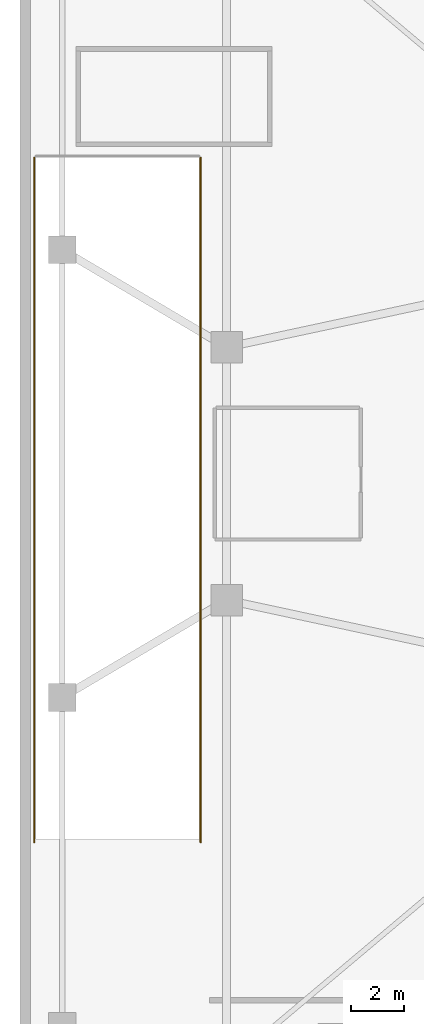
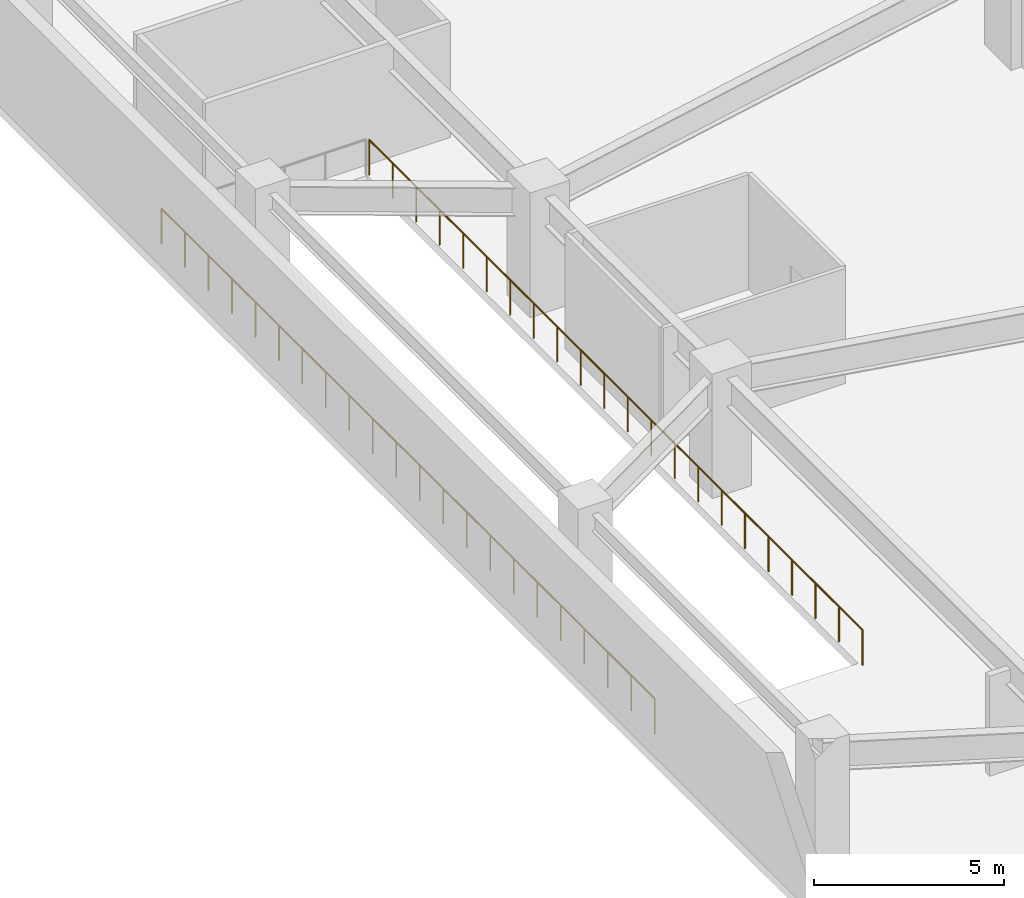
# One storey, part 7 of 9: 2 railings.
"""IFC4 building model written with IfcOpenShell, lengths in metres."""

from ifc_helpers import new_model, si_unit, direction, frame, origin, origin_2d, place, context, subcontext, project, spatial, circle, extrude, material, type_object, element, save


model = new_model("IFC4")

# Units and contexts
model_context = context("Model", 3, precision=1e-05, world=origin(), true_north=direction((0.0, 1.0)))
body_context = subcontext(model_context, "Body", "Model", "MODEL_VIEW")
ifc_project = project(units=[si_unit("LENGTHUNIT", "METRE"), si_unit("AREAUNIT", "SQUARE_METRE"), si_unit("VOLUMEUNIT", "CUBIC_METRE"), si_unit("PLANEANGLEUNIT", "RADIAN"), si_unit("MASSUNIT", "GRAM", prefix="KILO")], contexts=[model_context])

# Site, building, storey
site_placement = place(None, origin())
site = spatial("IfcSite", under=ifc_project, at=site_placement, CompositionType="ELEMENT")
building_placement = place(site_placement, origin())
building = spatial("IfcBuilding", under=site, at=building_placement, Name="Cairnveth Concourse Tower", CompositionType="ELEMENT")
storey_placement = place(building_placement, frame((0.0, 0.0, -4.0)))
storey = spatial("IfcBuildingStorey", under=building, at=storey_placement, Name="B01", CompositionType="ELEMENT", Elevation=-4.0)

# Railings
ifc_material = material(Name="Steel Grade 350", Category="steel")
railing_type = type_object("IfcRailingType", Name="STAIR GUARDRAIL 1150", PredefinedType="GUARDRAIL", material=ifc_material)
railing_1_placement = place(storey_placement, frame((19.5400390625, 25.0, 0.0)))
element("IfcRailing", 1, at=railing_1_placement, inside=storey, type_object=railing_type, Name="Basement B01 Ramp Well Guardrail W", PredefinedType="GUARDRAIL", context=body_context, shape_type="SweptSolid", body=[
    extrude(circle(Radius=0.02490234375, at=origin_2d()), frame((0.0, 0.0, 1.125), z_axis=(0.0, 1.0, 0.0), x_axis=(-1.0, 0.0, 0.0)), (0.0, 0.0, 1.0), 26.0),
    extrude(circle(Radius=0.0224609375, at=origin_2d()), origin(), (0.0, 0.0, 1.0), 1.099853515625),
    extrude(circle(Radius=0.0224609375, at=origin_2d()), frame((0.0, 1.238037109375, 0.0)), (0.0, 0.0, 1.0), 1.099853515625),
    extrude(circle(Radius=0.0224609375, at=origin_2d()), frame((0.0, 2.47607421875, 0.0)), (0.0, 0.0, 1.0), 1.099853515625),
    extrude(circle(Radius=0.0224609375, at=origin_2d()), frame((0.0, 3.71435546875, 0.0)), (0.0, 0.0, 1.0), 1.099853515625),
    extrude(circle(Radius=0.0224609375, at=origin_2d()), frame((0.0, 4.952392578125, 0.0)), (0.0, 0.0, 1.0), 1.099853515625),
    extrude(circle(Radius=0.0224609375, at=origin_2d()), frame((0.0, 6.1904296875, 0.0)), (0.0, 0.0, 1.0), 1.099853515625),
    extrude(circle(Radius=0.0224609375, at=origin_2d()), frame((0.0, 7.428466796875, 0.0)), (0.0, 0.0, 1.0), 1.099853515625),
    extrude(circle(Radius=0.0224609375, at=origin_2d()), frame((0.0, 8.666748046875, 0.0)), (0.0, 0.0, 1.0), 1.099853515625),
    extrude(circle(Radius=0.0224609375, at=origin_2d()), frame((0.0, 9.90478515625, 0.0)), (0.0, 0.0, 1.0), 1.099853515625),
    extrude(circle(Radius=0.0224609375, at=origin_2d()), frame((0.0, 11.142822265625, 0.0)), (0.0, 0.0, 1.0), 1.099853515625),
    extrude(circle(Radius=0.0224609375, at=origin_2d()), frame((0.0, 12.380859375, 0.0)), (0.0, 0.0, 1.0), 1.099853515625),
    extrude(circle(Radius=0.0224609375, at=origin_2d()), frame((0.0, 13.619140625, 0.0)), (0.0, 0.0, 1.0), 1.099853515625),
    extrude(circle(Radius=0.0224609375, at=origin_2d()), frame((0.0, 14.857177734375, 0.0)), (0.0, 0.0, 1.0), 1.099853515625),
    extrude(circle(Radius=0.0224609375, at=origin_2d()), frame((0.0, 16.09521484375, 0.0)), (0.0, 0.0, 1.0), 1.099853515625),
    extrude(circle(Radius=0.0224609375, at=origin_2d()), frame((0.0, 17.333251953125, 0.0)), (0.0, 0.0, 1.0), 1.099853515625),
    extrude(circle(Radius=0.0224609375, at=origin_2d()), frame((0.0, 18.571533203125, 0.0)), (0.0, 0.0, 1.0), 1.099853515625),
    extrude(circle(Radius=0.0224609375, at=origin_2d()), frame((0.0, 19.8095703125, 0.0)), (0.0, 0.0, 1.0), 1.099853515625),
    extrude(circle(Radius=0.0224609375, at=origin_2d()), frame((0.0, 21.047607421875, 0.0)), (0.0, 0.0, 1.0), 1.099853515625),
    extrude(circle(Radius=0.0224609375, at=origin_2d()), frame((0.0, 22.28564453125, 0.0)), (0.0, 0.0, 1.0), 1.099853515625),
    extrude(circle(Radius=0.0224609375, at=origin_2d()), frame((0.0, 23.52392578125, 0.0)), (0.0, 0.0, 1.0), 1.099853515625),
    extrude(circle(Radius=0.0224609375, at=origin_2d()), frame((0.0, 24.761962890625, 0.0)), (0.0, 0.0, 1.0), 1.099853515625),
    extrude(circle(Radius=0.0224609375, at=origin_2d()), frame((0.0, 26.0, 0.0)), (0.0, 0.0, 1.0), 1.099853515625),
])
railing_2_placement = place(storey_placement, frame((25.860107421875, 51.0, 0.0)))
element("IfcRailing", 2, at=railing_2_placement, inside=storey, type_object=railing_type, Name="Basement B01 Ramp Well Guardrail E", PredefinedType="GUARDRAIL", context=body_context, shape_type="SweptSolid", body=[
    extrude(circle(Radius=0.02490234375, at=origin_2d()), frame((0.0, 0.0, 1.125), z_axis=(0.0, -1.0, 0.0), x_axis=(1.0, 0.0, 0.0)), (0.0, 0.0, 1.0), 26.0),
    extrude(circle(Radius=0.0224609375, at=origin_2d()), origin(), (0.0, 0.0, 1.0), 1.099853515625),
    extrude(circle(Radius=0.0224609375, at=origin_2d()), frame((0.0, -1.238037109375, 0.0)), (0.0, 0.0, 1.0), 1.099853515625),
    extrude(circle(Radius=0.0224609375, at=origin_2d()), frame((0.0, -2.47607421875, 0.0)), (0.0, 0.0, 1.0), 1.099853515625),
    extrude(circle(Radius=0.0224609375, at=origin_2d()), frame((0.0, -3.71435546875, 0.0)), (0.0, 0.0, 1.0), 1.099853515625),
    extrude(circle(Radius=0.0224609375, at=origin_2d()), frame((0.0, -4.952392578125, 0.0)), (0.0, 0.0, 1.0), 1.099853515625),
    extrude(circle(Radius=0.0224609375, at=origin_2d()), frame((0.0, -6.1904296875, 0.0)), (0.0, 0.0, 1.0), 1.099853515625),
    extrude(circle(Radius=0.0224609375, at=origin_2d()), frame((0.0, -7.428466796875, 0.0)), (0.0, 0.0, 1.0), 1.099853515625),
    extrude(circle(Radius=0.0224609375, at=origin_2d()), frame((0.0, -8.666748046875, 0.0)), (0.0, 0.0, 1.0), 1.099853515625),
    extrude(circle(Radius=0.0224609375, at=origin_2d()), frame((0.0, -9.90478515625, 0.0)), (0.0, 0.0, 1.0), 1.099853515625),
    extrude(circle(Radius=0.0224609375, at=origin_2d()), frame((0.0, -11.142822265625, 0.0)), (0.0, 0.0, 1.0), 1.099853515625),
    extrude(circle(Radius=0.0224609375, at=origin_2d()), frame((0.0, -12.380859375, 0.0)), (0.0, 0.0, 1.0), 1.099853515625),
    extrude(circle(Radius=0.0224609375, at=origin_2d()), frame((0.0, -13.619140625, 0.0)), (0.0, 0.0, 1.0), 1.099853515625),
    extrude(circle(Radius=0.0224609375, at=origin_2d()), frame((0.0, -14.857177734375, 0.0)), (0.0, 0.0, 1.0), 1.099853515625),
    extrude(circle(Radius=0.0224609375, at=origin_2d()), frame((0.0, -16.09521484375, 0.0)), (0.0, 0.0, 1.0), 1.099853515625),
    extrude(circle(Radius=0.0224609375, at=origin_2d()), frame((0.0, -17.333251953125, 0.0)), (0.0, 0.0, 1.0), 1.099853515625),
    extrude(circle(Radius=0.0224609375, at=origin_2d()), frame((0.0, -18.571533203125, 0.0)), (0.0, 0.0, 1.0), 1.099853515625),
    extrude(circle(Radius=0.0224609375, at=origin_2d()), frame((0.0, -19.8095703125, 0.0)), (0.0, 0.0, 1.0), 1.099853515625),
    extrude(circle(Radius=0.0224609375, at=origin_2d()), frame((0.0, -21.047607421875, 0.0)), (0.0, 0.0, 1.0), 1.099853515625),
    extrude(circle(Radius=0.0224609375, at=origin_2d()), frame((0.0, -22.28564453125, 0.0)), (0.0, 0.0, 1.0), 1.099853515625),
    extrude(circle(Radius=0.0224609375, at=origin_2d()), frame((0.0, -23.52392578125, 0.0)), (0.0, 0.0, 1.0), 1.099853515625),
    extrude(circle(Radius=0.0224609375, at=origin_2d()), frame((0.0, -24.761962890625, 0.0)), (0.0, 0.0, 1.0), 1.099853515625),
    extrude(circle(Radius=0.0224609375, at=origin_2d()), frame((0.0, -26.0, 0.0)), (0.0, 0.0, 1.0), 1.099853515625),
])

save(model, "model.ifc")
